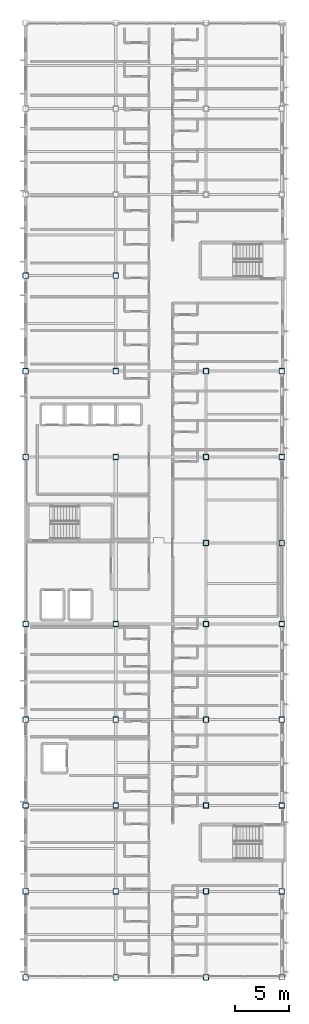
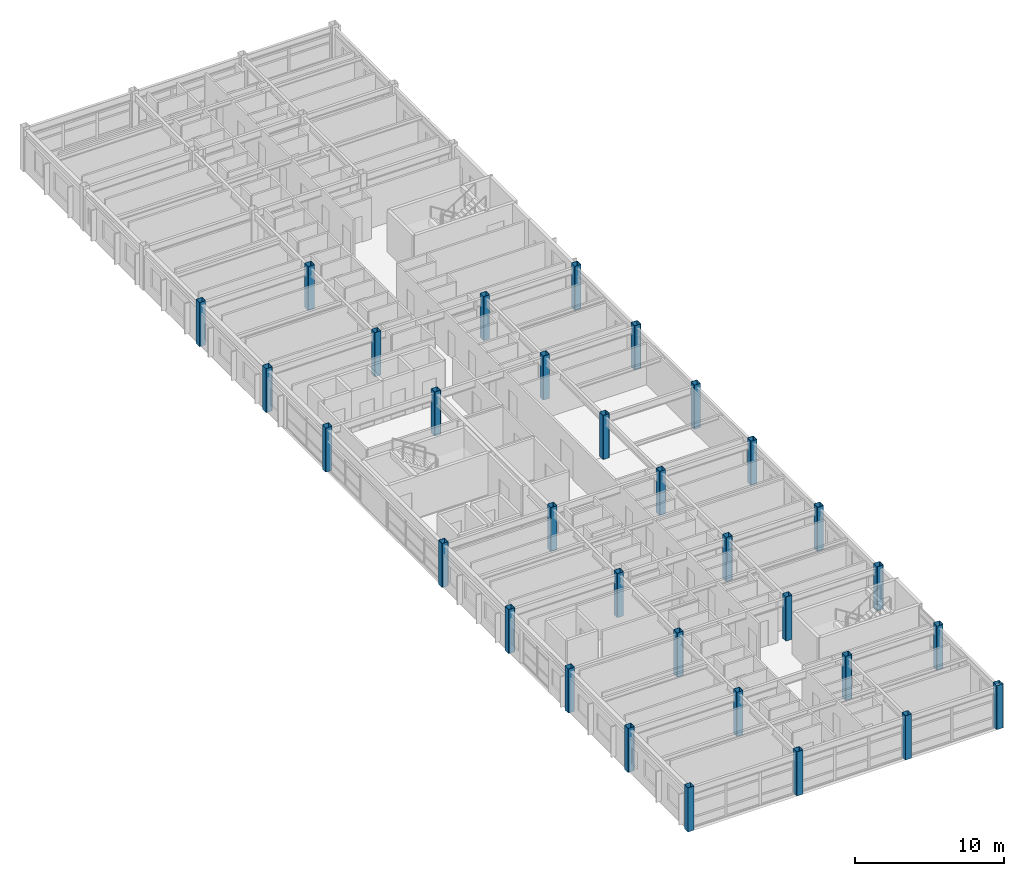
# One storey, part 1 of 35: 32 columns.
"""IFC4 building model written with IfcOpenShell, lengths in metres."""

from ifc_helpers import new_model, si_unit, direction, frame, origin, origin_2d, place, context, subcontext, project, spatial, hollow_rectangle, extrude, material, material_profile, profile_set, type_object, element, save


model = new_model("IFC4")

# Units and contexts
model_context = context("Model", 3, precision=1e-05, world=origin(), true_north=direction((0.0, 1.0)))
body_context = subcontext(model_context, "Body", "Model", "MODEL_VIEW")
ifc_project = project(units=[si_unit("LENGTHUNIT", "METRE"), si_unit("AREAUNIT", "SQUARE_METRE"), si_unit("VOLUMEUNIT", "CUBIC_METRE"), si_unit("PLANEANGLEUNIT", "RADIAN"), si_unit("MASSUNIT", "GRAM", prefix="KILO")], contexts=[model_context])

# Site, building, storey
site_placement = place(None, origin())
site = spatial("IfcSite", under=ifc_project, at=site_placement, CompositionType="ELEMENT")
building_placement = place(site_placement, origin())
building = spatial("IfcBuilding", under=site, at=building_placement, Name="Kazehara Bluff Congress Hotel", CompositionType="ELEMENT")
storey_placement = place(building_placement, frame((0.0, 0.0, 35.39990234375)))
storey = spatial("IfcBuildingStorey", under=building, at=storey_placement, Name="L08", CompositionType="ELEMENT", Elevation=35.39990234375)

# Columns
ifc_material = material(Name="Steel BCR295", Category="steel")
ifc_material_profile = material_profile(ifc_material, hollow_rectangle(XDim=0.5, YDim=0.5, WallThickness=0.02197265625, InnerFilletRadius=0.02197265625, OuterFilletRadius=0.0439453125, at=origin_2d()))
ifc_profile_set = profile_set([ifc_material_profile], Name="Steel BCR295")
column_type = type_object("IfcColumnType", Name="TP-C-07", PredefinedType="COLUMN", material=ifc_profile_set)
for number, where, z_axis, x_axis, name in (
    (1, (143.699951171875, 8.0, 0.0), (0.0, 0.0, 1.0), (1.0, 0.0, 0.0), "L08 column C-07 (143.70,8.00)"),
    (2, (143.699951171875, 16.0, 0.0), (0.0, 0.0, 1.0), (1.0, 0.0, 0.0), "L08 column C-07 (143.70,16.00)"),
    (3, (143.699951171875, 24.0, 0.0), (0.0, 0.0, 1.0), (1.0, 0.0, 0.0), "L08 column C-07 (143.70,24.00)"),
    (4, (143.699951171875, 32.0, 0.0), (0.0, 0.0, 1.0), (1.0, 0.0, 0.0), "L08 column C-07 (143.70,32.00)"),
    (5, (143.699951171875, 40.89990234375, 0.0), (0.0, 0.0, 1.0), (1.0, 0.0, 0.0), "L08 column C-07 (143.70,40.90)"),
    (6, (143.699951171875, 56.449951171875, 0.0), (0.0, 0.0, 1.0), (1.0, 0.0, 0.0), "L08 column C-07 (143.70,56.45)"),
    (7, (143.699951171875, 64.449951171875, 0.0), (0.0, 0.0, 1.0), (1.0, 0.0, 0.0), "L08 column C-07 (143.70,64.45)"),
    (8, (143.699951171875, 73.35009765625, 0.0), (0.0, 0.0, 1.0), (1.0, 0.0, 0.0), "L08 column C-07 (143.70,73.35)"),
    (9, (152.10009765625, 8.0, 0.0), (0.0, 0.0, 1.0), (1.0, 0.0, 0.0), "L08 column C-07 (152.10,8.00)"),
    (10, (152.10009765625, 16.0, 0.0), (0.0, 0.0, 1.0), (1.0, 0.0, 0.0), "L08 column C-07 (152.10,16.00)"),
    (11, (152.10009765625, 24.0, 0.0), (0.0, 0.0, 1.0), (1.0, 0.0, 0.0), "L08 column C-07 (152.10,24.00)"),
    (12, (152.10009765625, 32.0, 0.0), (0.0, 0.0, 1.0), (1.0, 0.0, 0.0), "L08 column C-07 (152.10,32.00)"),
    (13, (152.10009765625, 40.89990234375, 0.0), (0.0, 0.0, 1.0), (1.0, 0.0, 0.0), "L08 column C-07 (152.10,40.90)"),
    (14, (152.10009765625, 56.449951171875, 0.0), (0.0, 0.0, 1.0), (1.0, 0.0, 0.0), "L08 column C-07 (152.10,56.45)"),
    (15, (152.10009765625, 64.449951171875, 0.0), (0.0, 0.0, 1.0), (1.0, 0.0, 0.0), "L08 column C-07 (152.10,64.45)"),
    (16, (152.10009765625, 73.35009765625, 0.0), (0.0, 0.0, 1.0), (1.0, 0.0, 0.0), "L08 column C-07 (152.10,73.35)"),
    (17, (160.5, 8.0, 0.0), (0.0, 0.0, 1.0), (1.0, 0.0, 0.0), "L08 column C-07 (160.50,8.00)"),
    (18, (160.5, 16.0, 0.0), (0.0, 0.0, 1.0), (1.0, 0.0, 0.0), "L08 column C-07 (160.50,16.00)"),
    (19, (160.5, 24.0, 0.0), (0.0, 0.0, 1.0), (1.0, 0.0, 0.0), "L08 column C-07 (160.50,24.00)"),
    (20, (160.5, 32.0, 0.0), (0.0, 0.0, 1.0), (1.0, 0.0, 0.0), "L08 column C-07 (160.50,32.00)"),
    (21, (160.5, 40.89990234375, 0.0), (0.0, 0.0, 1.0), (1.0, 0.0, 0.0), "L08 column C-07 (160.50,40.90)"),
    (22, (160.5, 48.449951171875, 0.0), (0.0, 0.0, 1.0), (1.0, 0.0, 0.0), "L08 column C-07 (160.50,48.45)"),
    (23, (160.5, 56.449951171875, 0.0), (0.0, 0.0, 1.0), (1.0, 0.0, 0.0), "L08 column C-07 (160.50,56.45)"),
    (24, (160.5, 64.449951171875, 0.0), (0.0, 0.0, 1.0), (1.0, 0.0, 0.0), "L08 column C-07 (160.50,64.45)"),
    (25, (167.550048828125, 8.0, 0.0), (0.0, 0.0, 1.0), (1.0, 0.0, 0.0), "L08 column C-07 (167.55,8.00)"),
    (26, (167.550048828125, 16.0, 0.0), (0.0, 0.0, 1.0), (1.0, 0.0, 0.0), "L08 column C-07 (167.55,16.00)"),
    (27, (167.550048828125, 24.0, 0.0), (0.0, 0.0, 1.0), (1.0, 0.0, 0.0), "L08 column C-07 (167.55,24.00)"),
    (28, (167.550048828125, 32.0, 0.0), (0.0, 0.0, 1.0), (1.0, 0.0, 0.0), "L08 column C-07 (167.55,32.00)"),
    (29, (167.550048828125, 40.89990234375, 0.0), (0.0, 0.0, 1.0), (1.0, 0.0, 0.0), "L08 column C-07 (167.55,40.90)"),
    (30, (167.550048828125, 48.449951171875, 0.0), (0.0, 0.0, 1.0), (1.0, 0.0, 0.0), "L08 column C-07 (167.55,48.45)"),
    (31, (167.550048828125, 56.449951171875, 0.0), (0.0, 0.0, 1.0), (1.0, 0.0, 0.0), "L08 column C-07 (167.55,56.45)"),
    (32, (167.550048828125, 64.449951171875, 0.0), (0.0, 0.0, 1.0), (1.0, 0.0, 0.0), "L08 column C-07 (167.55,64.45)"),
):
    element("IfcColumn", number, at=place(storey_placement, frame(where, z_axis=z_axis, x_axis=x_axis)), inside=storey, type_object=column_type, Name=name, PredefinedType="COLUMN", context=body_context, shape_type="SweptSolid", body=[
        extrude(hollow_rectangle(XDim=0.5, YDim=0.5, WallThickness=0.02197265625, InnerFilletRadius=0.02197265625, OuterFilletRadius=0.0439453125, at=origin_2d()), origin(), (0.0, 0.0, 1.0), 3.60009765625),
    ])

save(model, "model.ifc")
